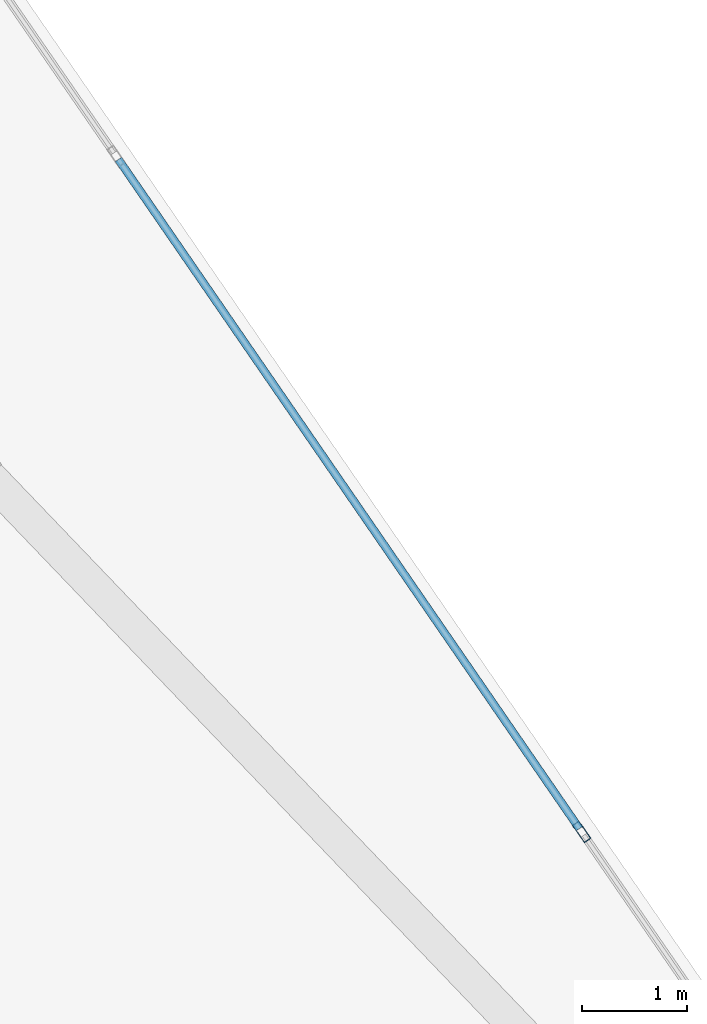
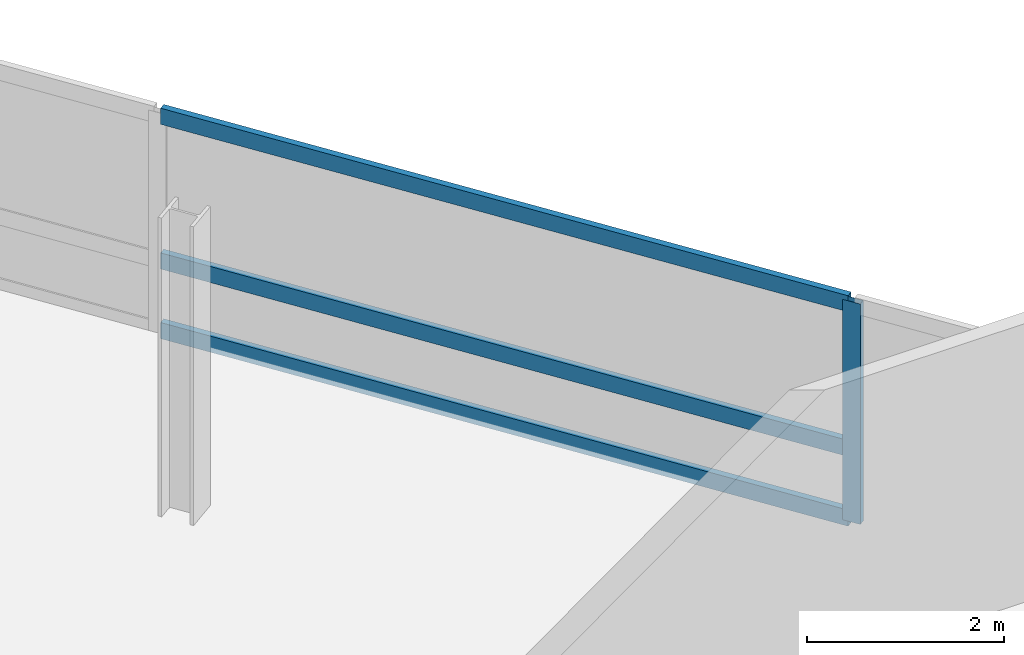
# One storey, part 8 of 21: 4 members, 1 element without a shape of its own.
"""IFC4 building model written with IfcOpenShell, lengths in metres."""

from ifc_helpers import new_model, si_unit, direction, frame, origin, origin_2d, place, context, subcontext, project, spatial, hollow_rectangle, extrude, material, layer, layer_set, material_profile, profile_set, type_object, element, aggregate, save


model = new_model("IFC4")

# Units and contexts
model_context = context("Model", 3, precision=1e-05, world=origin(), true_north=direction((0.0, 1.0)))
body_context = subcontext(model_context, "Body", "Model", "MODEL_VIEW")
ifc_project = project(units=[si_unit("LENGTHUNIT", "METRE"), si_unit("AREAUNIT", "SQUARE_METRE"), si_unit("VOLUMEUNIT", "CUBIC_METRE"), si_unit("PLANEANGLEUNIT", "RADIAN"), si_unit("MASSUNIT", "GRAM", prefix="KILO")], contexts=[model_context])

# Site, building, storey
site_placement = place(None, origin())
site = spatial("IfcSite", under=ifc_project, at=site_placement, CompositionType="ELEMENT")
building_placement = place(site_placement, origin())
building = spatial("IfcBuilding", under=site, at=building_placement, Name="Varnelok Gate Tower", CompositionType="ELEMENT")
storey_placement = place(building_placement, frame((0.0, 0.0, 269.300048828125)))
storey = spatial("IfcBuildingStorey", under=building, at=storey_placement, Name="L69", CompositionType="ELEMENT", Elevation=269.300048828125)

# Curtain wall, members
ifc_material = material(Name="Anodized Aluminum Alloy 6063-T6", Category="aluminium")
ifc_layer = layer(ifc_material, 0.179931640625)
ifc_layer_set = layer_set([ifc_layer], Name="Anodized Aluminum Alloy 6063-T6")
curtain_wall_type = type_object("IfcCurtainWallType", Name="CW4-RESIDENCE-VISION", PredefinedType="USERDEFINED", material=ifc_layer_set)
curtain_wall_placement = place(storey_placement, origin())
curtain_wall = element("IfcCurtainWall", 1, at=curtain_wall_placement, inside=storey, type_object=curtain_wall_type, Name="L69 East End Vision Curtain Wall", ObjectType="UNITISED CURTAIN WALL", PredefinedType="USERDEFINED")
ifc_material_profile_1 = material_profile(ifc_material, hollow_rectangle(XDim=0.074951171875, YDim=0.199951171875, WallThickness=0.00390625, at=origin_2d()), Name="ALU200X75X4")
ifc_profile_set_1 = profile_set([ifc_material_profile_1], Name="Anodized Aluminum Alloy 6063-T6")
member_type_1 = type_object("IfcMemberType", Name="CW-MULL-200", PredefinedType="MULLION", material=ifc_profile_set_1)
member_1_placement = place(storey_placement, frame((66.343505859375, 43.997314453125, 0.0), z_axis=(0.0, 0.0, 1.0), x_axis=(0.823532290241, 0.567269395376, 0.0)))
member_1 = element("IfcMember", 2, at=member_1_placement, type_object=member_type_1, Name="CW4 mullion 3", PredefinedType="MULLION", context=body_context, shape_type="SweptSolid", body=[
    extrude(hollow_rectangle(XDim=0.074951171875, YDim=0.199951171875, WallThickness=0.00390625, at=origin_2d()), origin(), (0.0, 0.0, 1.0), 2.72998046875),
])
ifc_material_profile_2 = material_profile(ifc_material, hollow_rectangle(XDim=0.074951171875, YDim=0.199951171875, WallThickness=0.00390625, at=origin_2d()), Name="ALU200X75X4")
ifc_profile_set_2 = profile_set([ifc_material_profile_2], Name="Anodized Aluminum Alloy 6063-T6")
member_type_2 = type_object("IfcMemberType", Name="CW-TRAN-200", PredefinedType="USERDEFINED", material=ifc_profile_set_2)
member_2_placement = place(storey_placement, frame((61.940185546875, 50.389892578125, 0.037353515625), z_axis=(0.567260941086, -0.823538113701, 0.0), x_axis=(0.823538113701, 0.567260941086, 0.0)))
member_2 = element("IfcMember", 3, at=member_2_placement, type_object=member_type_2, Name="CW4 transom 2.1", ObjectType="TRANSOM", PredefinedType="USERDEFINED", context=body_context, shape_type="SweptSolid", body=[
    extrude(hollow_rectangle(XDim=0.074951171875, YDim=0.199951171875, WallThickness=0.00390625, at=origin_2d()), origin(), (0.0, 0.0, 1.0), 7.72509765625),
])
member_3_placement = place(storey_placement, frame((61.940185546875, 50.389892578125, 0.89990234375), z_axis=(0.567260941086, -0.823538113701, 0.0), x_axis=(0.823538113701, 0.567260941086, 0.0)))
member_3 = element("IfcMember", 4, at=member_3_placement, type_object=member_type_2, Name="CW4 transom 2.2", ObjectType="TRANSOM", PredefinedType="USERDEFINED", context=body_context, shape_type="SweptSolid", body=[
    extrude(hollow_rectangle(XDim=0.074951171875, YDim=0.199951171875, WallThickness=0.00390625, at=origin_2d()), origin(), (0.0, 0.0, 1.0), 7.72509765625),
])
member_4_placement = place(storey_placement, frame((61.940185546875, 50.389892578125, 2.6923828125), z_axis=(0.567260941086, -0.823538113701, 0.0), x_axis=(0.823538113701, 0.567260941086, 0.0)))
member_4 = element("IfcMember", 5, at=member_4_placement, type_object=member_type_2, Name="CW4 transom 2.3", ObjectType="TRANSOM", PredefinedType="USERDEFINED", context=body_context, shape_type="SweptSolid", body=[
    extrude(hollow_rectangle(XDim=0.074951171875, YDim=0.199951171875, WallThickness=0.00390625, at=origin_2d()), origin(), (0.0, 0.0, 1.0), 7.72509765625),
])
aggregate(curtain_wall, [member_1, member_2, member_3, member_4])

save(model, "model.ifc")
